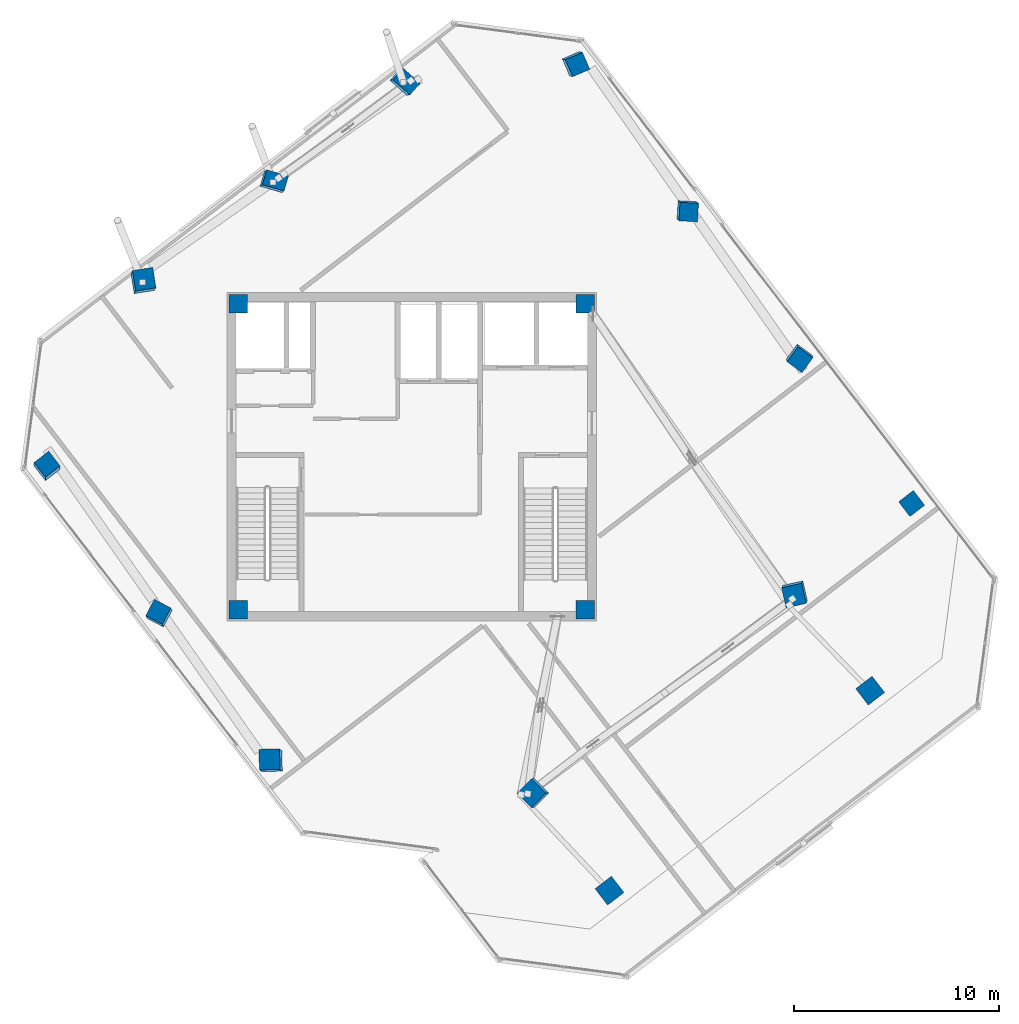
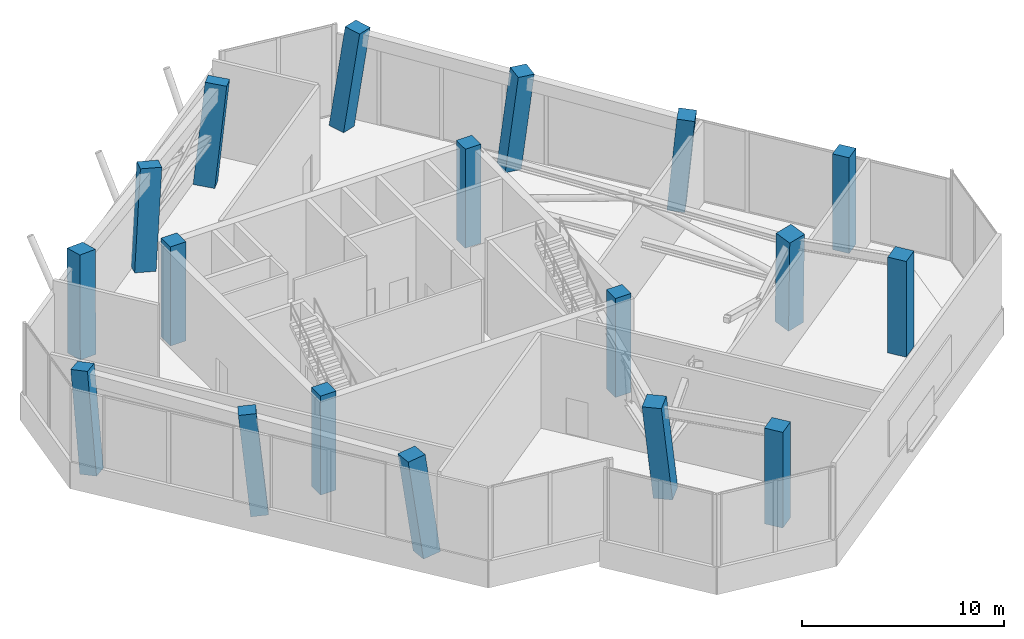
# One storey, part 1 of 19: 18 columns.
"""IFC4 building model written with IfcOpenShell, lengths in metres."""

from ifc_helpers import new_model, si_unit, direction, frame, origin, origin_2d, place, context, subcontext, project, spatial, rectangle, extrude, clip, halfspace, source, transform, mapped, material, material_profile, profile_set, type_object, element, save


model = new_model("IFC4")

# Units and contexts
model_context = context("Model", 3, precision=1e-05, world=origin(), true_north=direction((0.0, 1.0)))
body_context = subcontext(model_context, "Body", "Model", "MODEL_VIEW")
ifc_project = project(units=[si_unit("LENGTHUNIT", "METRE"), si_unit("AREAUNIT", "SQUARE_METRE"), si_unit("VOLUMEUNIT", "CUBIC_METRE"), si_unit("PLANEANGLEUNIT", "RADIAN"), si_unit("MASSUNIT", "GRAM", prefix="KILO")], contexts=[model_context])

# Site, building, storey
site_placement = place(None, origin())
site = spatial("IfcSite", under=ifc_project, at=site_placement, CompositionType="ELEMENT")
building_placement = place(site_placement, origin())
building = spatial("IfcBuilding", under=site, at=building_placement, Name="Torre Montelarca", CompositionType="ELEMENT")
storey_placement = place(building_placement, frame((0.0, 0.0, 287.800048828125)))
storey = spatial("IfcBuildingStorey", under=building, at=storey_placement, Name="L65", CompositionType="ELEMENT", Elevation=287.800048828125)

# Columns
ifc_material_1 = material(Name="Concrete C40/50", Category="concrete")
ifc_material_profile_1 = material_profile(ifc_material_1, rectangle(XDim=0.75, YDim=1.10009765625, at=origin_2d()), Name="RC1100X750", Category="concrete")
ifc_profile_set_1 = profile_set([ifc_material_profile_1], Name="Concrete C40/50")
column_type_1 = type_object("IfcColumnType", Name="COL-PIL1100-EXT", PredefinedType="PILASTER", material=ifc_profile_set_1)
column_1_placement = place(storey_placement, frame((11.242431640625, 45.367919921875, 0.0), z_axis=(0.098062243426, 0.071931159614, 0.992577304138), x_axis=(-0.274896381906, -0.956620523774, 0.096483950525)))
element("IfcColumn", 1, at=column_1_placement, inside=storey, type_object=column_type_1, Name="L65 Column 1W/E", PredefinedType="PILASTER", context=body_context, shape_type="Clipping", body=[
    clip(clip(extrude(rectangle(XDim=0.75, YDim=1.10009765625, at=origin_2d()), origin(), (0.0, 0.0, 1.0), 6.044921875), halfspace(frame((0.0, 0.0, 0.078125), z_axis=(0.0, 0.0, -1.0), x_axis=(1.0, 0.0, 0.0)), False)), halfspace(frame((0.0, 0.0, 5.966796875), z_axis=(0.0, 0.0, 1.0), x_axis=(1.0, 0.0, 0.0)), False)),
])
column_2_placement = place(storey_placement, frame((17.589111328125, 50.238037109375, 0.0), z_axis=(0.132010415945, 0.025321484793, 0.990924857136), x_axis=(-0.657399875558, -0.745957959933, 0.106640168922)))
element("IfcColumn", 2, at=column_2_placement, inside=storey, type_object=column_type_1, Name="L65 Column 1W/F", PredefinedType="PILASTER", context=body_context, shape_type="Clipping", body=[
    clip(clip(extrude(rectangle(XDim=0.75, YDim=1.10009765625, at=origin_2d()), origin(), (0.0, 0.0, 1.0), 6.054931640625), halfspace(frame((0.0, 0.0, 0.08642578125), z_axis=(0.0, 0.0, -1.0), x_axis=(1.0, 0.0, 0.0)), False)), halfspace(frame((0.0, 0.0, 5.968505859375), z_axis=(0.0, 0.0, 1.0), x_axis=(1.0, 0.0, 0.0)), False)),
])
ifc_material_2 = material(Name="Concrete C55/67", Category="concrete")
ifc_material_profile_2 = material_profile(ifc_material_2, rectangle(XDim=1.0, YDim=1.0, at=origin_2d()), Name="RC1000X1000", Category="concrete")
ifc_profile_set_2 = profile_set([ifc_material_profile_2], Name="Concrete C55/67")
column_type_2 = type_object("IfcColumnType", Name="COL-RC1000", PredefinedType="COLUMN", material=ifc_profile_set_2)
for number, where, z_axis, x_axis, name in (
    (3, (23.980224609375, 15.626220703125, 0.0), (-0.118568909367, -0.015310942641, 0.99282777397), (0.703214390485, 0.704622852055, 0.094848075236), "L65 Column 5/D"),
    (4, (36.673828125, 25.366455078125, 0.0), (-0.05025548765, -0.108469440787, 0.992828669195), (-0.221233565954, 0.970598099505, 0.094842176966), "L65 Column 5/F"),
):
    element("IfcColumn", number, at=place(storey_placement, frame(where, z_axis=z_axis, x_axis=x_axis)), inside=storey, type_object=column_type_2, Name=name, PredefinedType="COLUMN", context=body_context, shape_type="Clipping", body=[
        clip(clip(extrude(rectangle(XDim=1.0, YDim=1.0, at=origin_2d()), origin(), (0.0, 0.0, 1.0), 6.04345703125), halfspace(frame((0.0, 0.0, 0.085205078125), z_axis=(0.0, 0.0, -1.0), x_axis=(1.0, 0.0, 0.0)), False)), halfspace(frame((0.0, 0.0, 5.958251953125), z_axis=(0.0, 0.0, 1.0), x_axis=(1.0, 0.0, 0.0)), False)),
    ])
ifc_material_profile_3 = material_profile(ifc_material_2, rectangle(XDim=1.0, YDim=1.0, at=origin_2d()), Name="RC1000X1000", Category="concrete")
ifc_profile_set_3 = profile_set([ifc_material_profile_3], Name="Concrete C55/67")
column_type_3 = type_object("IfcColumnType", Name="COL-RC1000-EXT", PredefinedType="COLUMN", material=ifc_profile_set_3)
column_3_placement = place(storey_placement, frame((11.202392578125, 17.166015625, 0.0), z_axis=(-0.105297550082, 0.076532357281, 0.991491414101), x_axis=(0.994201661281, 0.029964203351, 0.103272470792)))
element("IfcColumn", 5, at=column_3_placement, inside=storey, type_object=column_type_3, Name="L65 Column 4/CS", PredefinedType="COLUMN", context=body_context, shape_type="Clipping", body=[
    clip(clip(extrude(rectangle(XDim=1.0, YDim=1.0, at=origin_2d()), origin(), (0.0, 0.0, 1.0), 6.051513671875), halfspace(frame((0.0, 0.0, 0.0927734375), z_axis=(0.0, 0.0, -1.0), x_axis=(1.0, 0.0, 0.0)), False)), halfspace(frame((0.0, 0.0, 5.958740234375), z_axis=(0.0, 0.0, 1.0), x_axis=(1.0, 0.0, 0.0)), False)),
])
column_4_placement = place(storey_placement, frame((4.8955078125, 40.497802734375, 0.0), z_axis=(0.063827842117, 0.118301256331, 0.990924224813), x_axis=(0.16246481936, -0.980934385209, 0.106643867072)))
element("IfcColumn", 6, at=column_4_placement, inside=storey, type_object=column_type_3, Name="L65 Column 1W/D", PredefinedType="COLUMN", context=body_context, shape_type="Clipping", body=[
    clip(clip(extrude(rectangle(XDim=1.0, YDim=1.0, at=origin_2d()), origin(), (0.0, 0.0, 1.0), 6.054931640625), halfspace(frame((0.0, 0.0, 0.095947265625), z_axis=(0.0, 0.0, -1.0), x_axis=(1.0, 0.0, 0.0)), False)), halfspace(frame((0.0, 0.0, 5.958984375), z_axis=(0.0, 0.0, 1.0), x_axis=(1.0, 0.0, 0.0)), False)),
])
ifc_material_profile_4 = material_profile(ifc_material_2, rectangle(XDim=0.89990234375, YDim=0.89990234375, at=origin_2d()), Name="RC900X900", Category="concrete")
ifc_profile_set_4 = profile_set([ifc_material_profile_4], Name="Concrete C55/67")
column_type_4 = type_object("IfcColumnType", Name="COL-RC900-EXT", PredefinedType="COLUMN", material=ifc_profile_set_4)
column_5_placement = place(storey_placement, frame((0.244873046875, 31.4462890625, 0.0), z_axis=(-0.000643399733, 0.152767224151, 0.988261990194), x_axis=(0.612058094759, -0.781470139505, 0.121199462463)))
element("IfcColumn", 7, at=column_5_placement, inside=storey, type_object=column_type_4, Name="L65 Column 2/CS", PredefinedType="COLUMN", context=body_context, shape_type="Clipping", body=[
    clip(clip(extrude(rectangle(XDim=0.89990234375, YDim=0.89990234375, at=origin_2d()), origin(), (0.0, 0.0, 1.0), 6.0712890625), halfspace(frame((0.0, 0.0, 0.098388671875), z_axis=(0.0, 0.0, -1.0), x_axis=(1.0, 0.0, 0.0)), False)), halfspace(frame((0.0, 0.0, 5.972900390625), z_axis=(0.0, 0.0, 1.0), x_axis=(1.0, 0.0, 0.0)), False)),
])
column_6_placement = place(storey_placement, frame((25.909912109375, 51.1396484375, 0.0), z_axis=(0.137037518385, -0.034722616358, 0.989957099307), x_axis=(-0.910849765556, -0.397207744232, 0.112154859493)))
element("IfcColumn", 8, at=column_6_placement, inside=storey, type_object=column_type_4, Name="L65 Column 2/GN", PredefinedType="COLUMN", context=body_context, shape_type="Clipping", body=[
    clip(clip(extrude(rectangle(XDim=0.89990234375, YDim=0.89990234375, at=origin_2d()), origin(), (0.0, 0.0, 1.0), 6.060791015625), halfspace(frame((0.0, 0.0, 0.0908203125), z_axis=(0.0, 0.0, -1.0), x_axis=(1.0, 0.0, 0.0)), False)), halfspace(frame((0.0, 0.0, 5.969970703125), z_axis=(0.0, 0.0, 1.0), x_axis=(1.0, 0.0, 0.0)), False)),
])
column_7_placement = place(storey_placement, frame((5.7236328125, 24.305908203125, 0.0), z_axis=(-0.052996112763, 0.114993088547, 0.991951612539), x_axis=(0.882260222834, -0.459919782959, 0.10045243873)))
element("IfcColumn", 9, at=column_7_placement, inside=storey, type_object=column_type_4, Name="L65 Column 3/CS", PredefinedType="COLUMN", context=body_context, shape_type="Clipping", body=[
    clip(clip(extrude(rectangle(XDim=0.89990234375, YDim=0.89990234375, at=origin_2d()), origin(), (0.0, 0.0, 1.0), 6.048583984375), halfspace(frame((0.0, 0.0, 0.081298828125), z_axis=(0.0, 0.0, -1.0), x_axis=(1.0, 0.0, 0.0)), False)), halfspace(frame((0.0, 0.0, 5.96728515625), z_axis=(0.0, 0.0, 1.0), x_axis=(1.0, 0.0, 0.0)), False)),
])
column_8_placement = place(storey_placement, frame((31.388671875, 43.99951171875, 0.0), z_axis=(0.085110347556, -0.073344499034, 0.993668361779), x_axis=(-0.994583103677, 0.053472384488, 0.089135593209)))
element("IfcColumn", 10, at=column_8_placement, inside=storey, type_object=column_type_4, Name="L65 Column 3/GN", PredefinedType="COLUMN", context=body_context, shape_type="Clipping", body=[
    clip(clip(extrude(rectangle(XDim=0.89990234375, YDim=0.89990234375, at=origin_2d()), origin(), (0.0, 0.0, 1.0), 6.038330078125), halfspace(frame((0.0, 0.0, 0.072021484375), z_axis=(0.0, 0.0, -1.0), x_axis=(1.0, 0.0, 0.0)), False)), halfspace(frame((0.0, 0.0, 5.96630859375), z_axis=(0.0, 0.0, 1.0), x_axis=(1.0, 0.0, 0.0)), False)),
])
column_9_placement = place(storey_placement, frame((36.867431640625, 36.859375, 0.0), z_axis=(0.032654052089, -0.111743136172, 0.993200475433), x_axis=(-0.80534042718, 0.585573671841, 0.092359467277)))
element("IfcColumn", 11, at=column_9_placement, inside=storey, type_object=column_type_4, Name="L65 Column 4/GN", PredefinedType="COLUMN", context=body_context, shape_type="Clipping", body=[
    clip(clip(extrude(rectangle(XDim=0.89990234375, YDim=0.89990234375, at=origin_2d()), origin(), (0.0, 0.0, 1.0), 6.041015625), halfspace(frame((0.0, 0.0, 0.07470703125), z_axis=(0.0, 0.0, -1.0), x_axis=(1.0, 0.0, 0.0)), False)), halfspace(frame((0.0, 0.0, 5.96630859375), z_axis=(0.0, 0.0, 1.0), x_axis=(1.0, 0.0, 0.0)), False)),
])
ifc_material_profile_5 = material_profile(ifc_material_2, rectangle(XDim=0.89990234375, YDim=0.89990234375, at=origin_2d()), Name="RC900X900", Category="concrete")
ifc_profile_set_5 = profile_set([ifc_material_profile_5], Name="Concrete C55/67")
column_type_5 = type_object("IfcColumnType", Name="COL-RC900", PredefinedType="COLUMN", material=ifc_profile_set_5)
shared_shape_1 = source(origin(), body_context, "Body", "SweptSolid", [
    extrude(rectangle(XDim=0.89990234375, YDim=0.89990234375, at=origin_2d()), origin(), (0.0, 0.0, 1.0), 5.99853515625),
])
for number, where, z_axis, x_axis, name in (
    (12, (9.550048828125, 24.550048828125, 0.000732421875), (0.0, 0.0, 1.0), (1.0, 0.0, 0.0), "L65 Plumb Core Corner Column 2D"),
    (13, (26.449951171875, 24.550048828125, 0.000732421875), (0.0, 0.0, 1.0), (1.0, 0.0, 0.0), "L65 Plumb Core Corner Column 4D"),
    (14, (9.550048828125, 39.449951171875, 0.000732421875), (0.0, 0.0, 1.0), (1.0, 0.0, 0.0), "L65 Plumb Core Corner Column 2F"),
    (15, (26.449951171875, 39.449951171875, 0.000732421875), (0.0, 0.0, 1.0), (1.0, 0.0, 0.0), "L65 Plumb Core Corner Column 4F"),
):
    element("IfcColumn", number, at=place(storey_placement, frame(where, z_axis=z_axis, x_axis=x_axis)), inside=storey, type_object=column_type_5, Name=name, PredefinedType="COLUMN", context=body_context, shape_type="MappedRepresentation", body=[
        mapped(shared_shape_1, transform((0.0, 0.0, 0.0), scale=1.0)),
    ])
shared_shape_2 = source(origin(), body_context, "Body", "SweptSolid", [
    extrude(rectangle(XDim=0.89990234375, YDim=0.89990234375, at=origin_2d()), origin(), (0.0, 0.0, 1.0), 5.79931640625),
])
column_10_placement = place(storey_placement, frame((42.34619140625, 29.718994140625, 0.000732421875), z_axis=(0.0, 0.0, 1.0), x_axis=(-0.608761429009, 0.793353340291, 0.0)))
element("IfcColumn", 16, at=column_10_placement, inside=storey, type_object=column_type_4, Name="L65 Column 5/GN", PredefinedType="COLUMN", context=body_context, shape_type="MappedRepresentation", body=[
    mapped(shared_shape_2, transform((0.0, 0.0, 0.0), scale=1.0)),
])
shared_shape_3 = source(origin(), body_context, "Body", "SweptSolid", [
    extrude(rectangle(XDim=1.0, YDim=1.0, at=origin_2d()), origin(), (0.0, 0.0, 1.0), 5.79931640625),
])
for number, where, z_axis, x_axis, name in (
    (17, (27.6328125, 10.8662109375, 0.000732421875), (0.0, 0.0, 1.0), (-0.608761429009, 0.793353340291, 0.0), "L65 Column 6/D"),
    (18, (40.326416015625, 20.606201171875, 0.000732421875), (0.0, 0.0, 1.0), (-0.608761429009, 0.793353340291, 0.0), "L65 Column 6/F"),
):
    element("IfcColumn", number, at=place(storey_placement, frame(where, z_axis=z_axis, x_axis=x_axis)), inside=storey, type_object=column_type_3, Name=name, PredefinedType="COLUMN", context=body_context, shape_type="MappedRepresentation", body=[
        mapped(shared_shape_3, transform((0.0, 0.0, 0.0), scale=1.0)),
    ])

save(model, "model.ifc")
